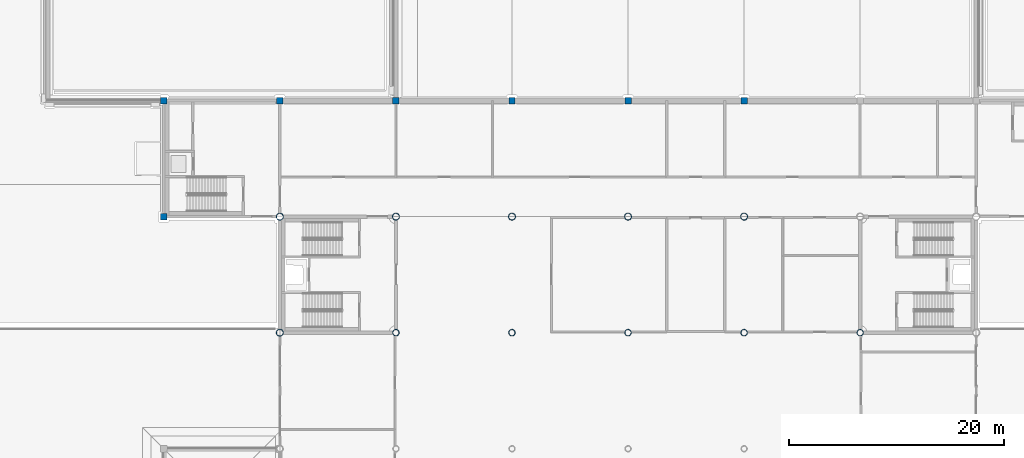
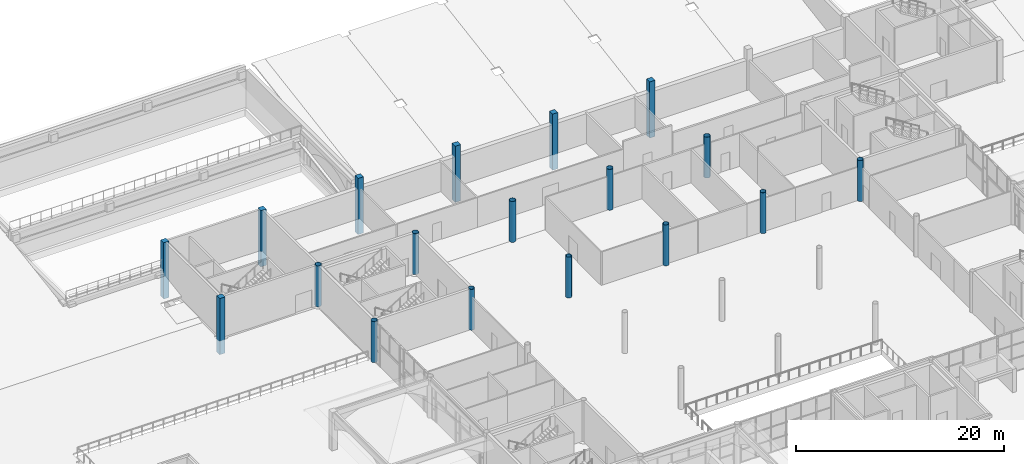
# One storey, part 7 of 91: 18 columns.
"""IFC4 building model written with IfcOpenShell, lengths in metres."""

import ifcopenshell
import ifcopenshell.guid

model = None  # the IFC model being written
_history = None  # IfcOwnerHistory: only IFC2X3 demands one
_inside = {}  # id of a spatial element -> (the spatial element, [elements in it])
_under = {}  # id of a project, library or spatial element -> (it, [spatial elements below it])
_declared = {}  # id of a project -> (the project, [libraries it declares])
_typed = {}  # id of a type object -> (the type object, [elements of that type])
_made_of = {}  # id of a material, layer set ... -> (it, [elements and type objects made of it])


def new_model(schema):
    """Start an empty IFC model of exactly this schema.

    Asked for "IFC4X3", IfcOpenShell would pick the latest addendum, in which some entities
    have other attributes; the version numbers below select the first issue.
    IFC2X3 requires an IfcOwnerHistory on every rooted entity: one is made here for all.
    """
    global model, _history
    if schema == "IFC4X3":
        model = ifcopenshell.file(schema_version=(4, 3, 0, 0))
    else:
        model = ifcopenshell.file(schema=schema)
    _inside.clear()
    _under.clear()
    _declared.clear()
    _typed.clear()
    _made_of.clear()
    _history = None
    if model.schema == "IFC2X3":
        org = make("IfcOrganization", Name="unknown")
        user = make(
            "IfcPersonAndOrganization",
            ThePerson=make("IfcPerson", FamilyName="unknown"),
            TheOrganization=org,
        )
        app = make(
            "IfcApplication",
            ApplicationDeveloper=org,
            Version="unknown",
            ApplicationFullName="unknown",
            ApplicationIdentifier="unknown",
        )
        _history = make(
            "IfcOwnerHistory",
            OwningUser=user,
            OwningApplication=app,
            ChangeAction="ADDED",
            CreationDate=0,
        )
    return model


def make(cls, **values):
    """One entity of the class cls with the attributes given. An attribute that is None is left unset."""
    return model.create_entity(
        cls, **{name: value for name, value in values.items() if value is not None}
    )


def rooted(cls, **values):
    """An entity with a GlobalId (a new one), such as an element, a storey or a relation."""
    return make(cls, GlobalId=ifcopenshell.guid.new(), OwnerHistory=_history, **values)


def si_unit(unit_type, name, prefix=None):
    """IfcSIUnit, for example si_unit("LENGTHUNIT", "METRE", prefix="MILLI")."""
    return make("IfcSIUnit", UnitType=unit_type, Prefix=prefix, Name=name)


def assignment(units):
    """IfcUnitAssignment: the units of a project."""
    return None if units is None else make("IfcUnitAssignment", Units=units)


def point(xyz):
    """IfcCartesianPoint."""
    return None if xyz is None else make("IfcCartesianPoint", Coordinates=xyz)


def direction(xyz):
    """IfcDirection."""
    return None if xyz is None else make("IfcDirection", DirectionRatios=xyz)


def frame(location, z_axis=None, x_axis=None):
    """IfcAxis2Placement3D, a coordinate frame: its origin and axes. An axis left out is left unset."""
    return make(
        "IfcAxis2Placement3D",
        Location=point(location),
        Axis=direction(z_axis),
        RefDirection=direction(x_axis),
    )


def frame_2d(location, x_axis=None):
    """IfcAxis2Placement2D, a coordinate frame in the plane: its origin and x axis."""
    return make(
        "IfcAxis2Placement2D", Location=point(location), RefDirection=direction(x_axis)
    )


def origin():
    """The frame at (0, 0, 0) with its axes left unset."""
    return frame((0.0, 0.0, 0.0))


def origin_2d():
    """The frame at (0, 0) in the plane with its x axis left unset."""
    return frame_2d((0.0, 0.0))


def place(relative_to, where):
    """IfcLocalPlacement: puts the frame where relative to a parent placement (None: the world)."""
    return make(
        "IfcLocalPlacement", PlacementRelTo=relative_to, RelativePlacement=where
    )


def context(
    kind, dimensions, precision=None, world=None, true_north=None, identifier=None
):
    """IfcGeometricRepresentationContext, for example the 3D "Model" context."""
    return make(
        "IfcGeometricRepresentationContext",
        ContextIdentifier=identifier,
        ContextType=kind,
        CoordinateSpaceDimension=dimensions,
        Precision=precision,
        WorldCoordinateSystem=world,
        TrueNorth=true_north,
    )


def subcontext(parent, identifier, kind, view, scale=None):
    """IfcGeometricRepresentationSubContext, for example "Body" below "Model"."""
    return make(
        "IfcGeometricRepresentationSubContext",
        ContextIdentifier=identifier,
        ContextType=kind,
        ParentContext=parent,
        TargetScale=scale,
        TargetView=view,
    )


def project(units=None, contexts=None):
    """IfcProject with its units and contexts."""
    return rooted(
        "IfcProject",
        Name="project",
        RepresentationContexts=contexts,
        UnitsInContext=assignment(units),
    )


def spatial(cls, under=None, at=None, **own):
    """A site, building, storey or space (cls), placed at a placement, below another one or the project."""
    s = rooted(cls, ObjectPlacement=at, **own)
    if under is not None:
        _under.setdefault(under.id(), (under, []))[1].append(s)
    return s


def profile(cls, at=None, kind="AREA", **sizes):
    """A parametric profile (cls). Its sizes go by their IFC names, for example OverallWidth=200.0."""
    return make(cls, ProfileType=kind, Position=at, **sizes)


def rectangle(**sizes):
    """IfcRectangleProfileDef."""
    return profile("IfcRectangleProfileDef", **sizes)


def hollow_circle(**sizes):
    """IfcCircleHollowProfileDef."""
    return profile("IfcCircleHollowProfileDef", **sizes)


def extrude(swept, where, along, depth):
    """IfcExtrudedAreaSolid: the profile swept, set in the frame where, extruded along a direction by depth."""
    return make(
        "IfcExtrudedAreaSolid",
        SweptArea=swept,
        Position=where,
        ExtrudedDirection=direction(along),
        Depth=depth,
    )


def shape(context_of_items, identifier, shape_type, items):
    """IfcShapeRepresentation: the items that make up one representation, for example the "Body"."""
    return make(
        "IfcShapeRepresentation",
        ContextOfItems=context_of_items,
        RepresentationIdentifier=identifier,
        RepresentationType=shape_type,
        Items=items,
    )


def material(Name=None, Category=None):
    """IfcMaterial."""
    return make("IfcMaterial", Name=Name, Category=Category)


def material_profile(
    of_material, cross_section, Name=None, Category=None, Priority=None
):
    """IfcMaterialProfile: a cross section and its material."""
    return make(
        "IfcMaterialProfile",
        Name=Name,
        Material=of_material,
        Profile=cross_section,
        Priority=Priority,
        Category=Category,
    )


def profile_set(profiles, Name=None, composite=None):
    """IfcMaterialProfileSet."""
    return make(
        "IfcMaterialProfileSet",
        Name=Name,
        MaterialProfiles=profiles,
        CompositeProfile=composite,
    )


def made_of(thing, what):
    """Note that an element or type object is made of a material, layer set ...; save() writes the relation."""
    if what is not None:
        _made_of.setdefault(what.id(), (what, []))[1].append(thing)
    return thing


def type_object(cls, material=None, **own):
    """A type object (cls), such as IfcWallType, which elements share."""
    return made_of(rooted(cls, **own), material)


def element(
    cls,
    number,
    at=None,
    inside=None,
    cuts=None,
    type_object=None,
    material=None,
    context=None,
    identifier="Body",
    shape_type=None,
    held_by="IfcProductDefinitionShape",
    body=None,
    shapes=None,
    **own,
):
    """One element of the class cls, such as IfcWall. Its Tag is "e" and its number.

    at: its placement. inside: the storey or other place that contains it. cuts: it is an
    opening in that element (IfcRelVoidsElement). A single representation is given by context,
    identifier, shape_type and body (its items); several are given by shapes. held_by: the class
    of the entity that holds the representations. save() writes the other relations.
    """
    e = rooted(cls, Tag="e%d" % number, ObjectPlacement=at, **own)
    if body is not None:
        shapes = [shape(context, identifier, shape_type, body)]
    if shapes is not None:
        e.Representation = make(held_by, Representations=shapes)
    if inside is not None:
        _inside.setdefault(inside.id(), (inside, []))[1].append(e)
    if cuts is not None:
        rooted(
            "IfcRelVoidsElement", RelatingBuildingElement=cuts, RelatedOpeningElement=e
        )
    if type_object is not None:
        _typed.setdefault(type_object.id(), (type_object, []))[1].append(e)
    return made_of(e, material)


def aggregate(whole, parts):
    """IfcRelAggregates: a whole, such as a stair, and the parts it consists of."""
    return rooted("IfcRelAggregates", RelatingObject=whole, RelatedObjects=parts)


def save(model, path):
    """Write the relations noted so far, then the file.

    IfcRelAggregates (storeys below a building ...), IfcRelContainedInSpatialStructure (elements
    in a storey), IfcRelDefinesByType, IfcRelAssociatesMaterial and IfcRelDeclares: one each for
    every whole, place, type object, material and project.
    """
    for whole, parts in _under.values():
        aggregate(whole, parts)
    for where, things in _inside.values():
        rooted(
            "IfcRelContainedInSpatialStructure",
            RelatedElements=things,
            RelatingStructure=where,
        )
    for kind, things in _typed.values():
        rooted("IfcRelDefinesByType", RelatedObjects=things, RelatingType=kind)
    for what, things in _made_of.values():
        rooted("IfcRelAssociatesMaterial", RelatedObjects=things, RelatingMaterial=what)
    for by, libraries in _declared.values():
        rooted("IfcRelDeclares", RelatingContext=by, RelatedDefinitions=libraries)
    model.write(path)


model = new_model("IFC4")

# Units and contexts
model_context = context("Model", 3, precision=1e-05, world=origin(), true_north=direction((0.0, 1.0)))
body_context = subcontext(model_context, "Body", "Model", "MODEL_VIEW")
ifc_project = project(units=[si_unit("LENGTHUNIT", "METRE"), si_unit("AREAUNIT", "SQUARE_METRE"), si_unit("VOLUMEUNIT", "CUBIC_METRE"), si_unit("PLANEANGLEUNIT", "RADIAN"), si_unit("MASSUNIT", "GRAM", prefix="KILO")], contexts=[model_context])

# Site, building, storey
site_placement = place(None, origin())
site = spatial("IfcSite", under=ifc_project, at=site_placement, CompositionType="ELEMENT")
building_placement = place(site_placement, origin())
building = spatial("IfcBuilding", under=site, at=building_placement, Name="Magnolia Steps Interchange", CompositionType="ELEMENT")
storey_placement = place(building_placement, origin())
storey = spatial("IfcBuildingStorey", under=building, at=storey_placement, Name="L00", CompositionType="ELEMENT", Elevation=0.0)

# Columns
ifc_material_1 = material(Name="Concrete C40", Category="concrete")
ifc_material_profile_1 = material_profile(ifc_material_1, rectangle(XDim=0.60009765625, YDim=0.60009765625, at=origin_2d()), Name="RC600x600")
ifc_profile_set_1 = profile_set([ifc_material_profile_1], Name="Concrete C40")
column_type_1 = type_object("IfcColumnType", Name="RC column 600x600", PredefinedType="COLUMN", material=ifc_profile_set_1)
for number, where, z_axis, x_axis, name in (
    (1, (42.39990234375, 85.60009765625, -1.800048828125), (0.0, 0.0, 1.0), (1.0, 0.0, 0.0), "Column CON-4H L00"),
    (2, (42.39990234375, 96.39990234375, -1.800048828125), (0.0, 0.0, 1.0), (1.0, 0.0, 0.0), "Column CON-4I L00"),
    (3, (53.199951171875, 96.39990234375, -1.800048828125), (0.0, 0.0, 1.0), (1.0, 0.0, 0.0), "Column CON-5I L00"),
    (4, (64.0, 96.39990234375, -1.800048828125), (0.0, 0.0, 1.0), (1.0, 0.0, 0.0), "Column CON-6I L00"),
    (5, (74.800048828125, 96.39990234375, -1.800048828125), (0.0, 0.0, 1.0), (1.0, 0.0, 0.0), "Column CON-7I L00"),
    (6, (85.60009765625, 96.39990234375, -1.800048828125), (0.0, 0.0, 1.0), (1.0, 0.0, 0.0), "Column CON-8I L00"),
    (7, (96.39990234375, 96.39990234375, -1.800048828125), (0.0, 0.0, 1.0), (1.0, 0.0, 0.0), "Column CON-9I L00"),
):
    element("IfcColumn", number, at=place(storey_placement, frame(where, z_axis=z_axis, x_axis=x_axis)), inside=storey, type_object=column_type_1, Name=name, PredefinedType="COLUMN", context=body_context, shape_type="SweptSolid", body=[
        extrude(rectangle(XDim=0.60009765625, YDim=0.60009765625, at=origin_2d()), origin(), (0.0, 0.0, 1.0), 6.60009765625),
    ])
ifc_material_2 = material(Name="Steel Q355B", Category="steel")
ifc_material_profile_2 = material_profile(ifc_material_2, hollow_circle(Radius=0.304931640625, WallThickness=0.02490234375, at=origin_2d()), Name="CHS610x25")
ifc_profile_set_2 = profile_set([ifc_material_profile_2], Name="Steel Q355B")
column_type_2 = type_object("IfcColumnType", Name="Tree trunk CHS610x25", PredefinedType="COLUMN", material=ifc_profile_set_2)
for number, where, z_axis, x_axis, name in (
    (8, (64.0, 74.800048828125, 0.0), (0.0, 0.0, 1.0), (1.0, 0.0, 0.0), "Tree trunk TH02D"),
    (9, (74.800048828125, 74.800048828125, 0.0), (0.0, 0.0, 1.0), (1.0, 0.0, 0.0), "Tree trunk TH03D"),
    (10, (85.60009765625, 74.800048828125, 0.0), (0.0, 0.0, 1.0), (1.0, 0.0, 0.0), "Tree trunk TH04D"),
    (11, (96.39990234375, 74.800048828125, 0.0), (0.0, 0.0, 1.0), (1.0, 0.0, 0.0), "Tree trunk TH05D"),
    (12, (107.199951171875, 74.800048828125, 0.0), (0.0, 0.0, 1.0), (1.0, 0.0, 0.0), "Tree trunk TH06D"),
):
    element("IfcColumn", number, at=place(storey_placement, frame(where, z_axis=z_axis, x_axis=x_axis)), inside=storey, type_object=column_type_2, Name=name, PredefinedType="COLUMN", context=body_context, shape_type="SweptSolid", body=[
        extrude(hollow_circle(Radius=0.304931640625, WallThickness=0.02490234375, at=origin_2d()), origin(), (0.0, 0.0, 1.0), 4.800048828125),
    ])
ifc_material_3 = material(Name="Steel Q355B", Category="steel")
ifc_material_profile_3 = material_profile(ifc_material_3, hollow_circle(Radius=0.330078125, WallThickness=0.02490234375, at=origin_2d()), Name="CHS660x25")
ifc_profile_set_3 = profile_set([ifc_material_profile_3], Name="Steel Q355B")
column_type_3 = type_object("IfcColumnType", Name="Tree trunk CHS660x25", PredefinedType="COLUMN", material=ifc_profile_set_3)
for number, where, z_axis, x_axis, name in (
    (13, (53.199951171875, 74.800048828125, 0.0), (0.0, 0.0, 1.0), (1.0, 0.0, 0.0), "Tree trunk TH01D"),
    (14, (53.199951171875, 85.60009765625, 0.0), (0.0, 0.0, 1.0), (1.0, 0.0, 0.0), "Tree trunk TH01E"),
    (15, (64.0, 85.60009765625, 0.0), (0.0, 0.0, 1.0), (1.0, 0.0, 0.0), "Tree trunk TH02E"),
    (16, (74.800048828125, 85.60009765625, 0.0), (0.0, 0.0, 1.0), (1.0, 0.0, 0.0), "Tree trunk TH03E"),
    (17, (85.60009765625, 85.60009765625, 0.0), (0.0, 0.0, 1.0), (1.0, 0.0, 0.0), "Tree trunk TH04E"),
    (18, (96.39990234375, 85.60009765625, 0.0), (0.0, 0.0, 1.0), (1.0, 0.0, 0.0), "Tree trunk TH05E"),
):
    element("IfcColumn", number, at=place(storey_placement, frame(where, z_axis=z_axis, x_axis=x_axis)), inside=storey, type_object=column_type_3, Name=name, PredefinedType="COLUMN", context=body_context, shape_type="SweptSolid", body=[
        extrude(hollow_circle(Radius=0.330078125, WallThickness=0.02490234375, at=origin_2d()), origin(), (0.0, 0.0, 1.0), 4.800048828125),
    ])

save(model, "model.ifc")
